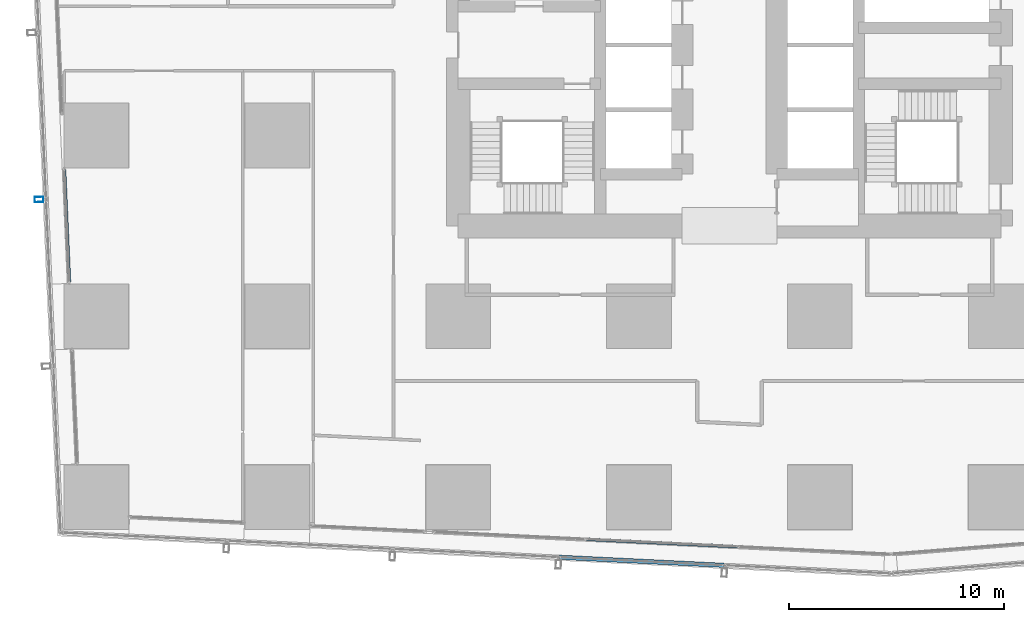
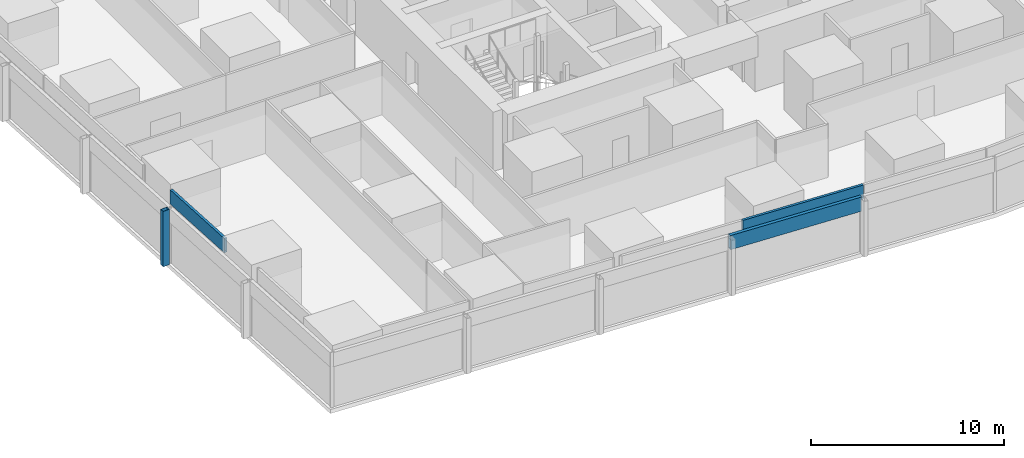
# One storey, part 6 of 45: 4 members, 4 elements without a shape of their own.
"""IFC4 building model written with IfcOpenShell, lengths in metres."""

from ifc_helpers import new_model, si_unit, direction, frame, origin, origin_2d, place, context, subcontext, project, spatial, hollow_rectangle, extrude, material, material_profile, profile_set, type_object, element, aggregate, save


model = new_model("IFC4")

# Units and contexts
model_context = context("Model", 3, precision=1e-05, world=origin(), true_north=direction((0.0, 1.0)))
body_context = subcontext(model_context, "Body", "Model", "MODEL_VIEW")
ifc_project = project(units=[si_unit("LENGTHUNIT", "METRE"), si_unit("AREAUNIT", "SQUARE_METRE"), si_unit("VOLUMEUNIT", "CUBIC_METRE"), si_unit("PLANEANGLEUNIT", "RADIAN"), si_unit("MASSUNIT", "GRAM", prefix="KILO")], contexts=[model_context])

# Site, building, storey
site_placement = place(None, origin())
site = spatial("IfcSite", under=ifc_project, at=site_placement, CompositionType="ELEMENT")
building_placement = place(site_placement, origin())
building = spatial("IfcBuilding", under=site, at=building_placement, Name="Rekha Terrace Tower", CompositionType="ELEMENT")
storey_placement = place(building_placement, frame((0.0, 0.0, 77.89990234375)))
storey = spatial("IfcBuildingStorey", under=building, at=storey_placement, Name="L19", CompositionType="ELEMENT", Elevation=77.89990234375)

# Curtain wall, member
ifc_material_1 = material(Name="Aluminium framing", Category="aluminium")
curtain_wall_type_1 = type_object("IfcCurtainWallType", Name="CW2 double skin outer glazing", PredefinedType="USERDEFINED", material=ifc_material_1)
curtain_wall_1_placement = place(storey_placement, origin())
curtain_wall_1 = element("IfcCurtainWall", 1, at=curtain_wall_1_placement, inside=storey, type_object=curtain_wall_type_1, Name="CW2 double skin outer glazing", ObjectType="DOUBLE SKIN OUTER GLAZING", PredefinedType="USERDEFINED")
ifc_material_2 = material(Name="Steel S355 with fluorocarbon finish", Category="steel")
ifc_material_profile_1 = material_profile(ifc_material_2, hollow_rectangle(XDim=0.25, YDim=0.39990234375, WallThickness=0.012451171875, at=origin_2d()), Name="RHS400x250x12.5")
ifc_profile_set_1 = profile_set([ifc_material_profile_1], Name="Steel S355 with fluorocarbon finish")
member_type_1 = type_object("IfcMemberType", Name="BL1 facade blade RHS 400 x 250", PredefinedType="USERDEFINED", material=ifc_profile_set_1)
member_1_placement = place(storey_placement, frame((5.74169921875, 22.226806640625, 0.0), z_axis=(0.0, 0.0, 1.0), x_axis=(0.04368215933, -0.999045478923, 0.0)))
member_1 = element("IfcMember", 2, at=member_1_placement, type_object=member_type_1, Name="Facade blade", ObjectType="FACADE BLADE", PredefinedType="USERDEFINED", context=body_context, shape_type="SweptSolid", body=[
    extrude(hollow_rectangle(XDim=0.25, YDim=0.39990234375, WallThickness=0.012451171875, at=origin_2d()), origin(), (0.0, 0.0, 1.0), 3.5),
])
aggregate(curtain_wall_1, [member_1])

curtain_wall_type_2 = type_object("IfcCurtainWallType", Name="CW1 double skin inner glazing", PredefinedType="USERDEFINED", material=ifc_material_1)
curtain_wall_2_placement = place(storey_placement, origin())
curtain_wall_2 = element("IfcCurtainWall", 3, at=curtain_wall_2_placement, inside=storey, type_object=curtain_wall_type_2, Name="CW1 double skin inner glazing", ObjectType="DOUBLE SKIN INNER GLAZING", PredefinedType="USERDEFINED")
ifc_material_3 = material(Name="Insulated aluminium spandrel box", Category="aluminium")
ifc_material_profile_2 = material_profile(ifc_material_3, hollow_rectangle(XDim=0.14990234375, YDim=0.89990234375, WallThickness=0.0029296875, at=origin_2d()), Name="AL SPANDREL BOX 150x900")
ifc_profile_set_2 = profile_set([ifc_material_profile_2], Name="Insulated aluminium spandrel box")
member_type_2 = type_object("IfcMemberType", Name="CW1 spandrel transom 150 x 900", PredefinedType="USERDEFINED", material=ifc_profile_set_2)
member_2_placement = place(storey_placement, frame((31.158447265625, 6.455078125, 3.050048828125), z_axis=(0.998797394542, -0.049028202652, 0.0), x_axis=(0.049028202652, 0.998797394542, 0.0)))
member_2 = element("IfcMember", 4, at=member_2_placement, type_object=member_type_2, Name="CW1 spandrel transom 2", ObjectType="TRANSOM", PredefinedType="USERDEFINED", context=body_context, shape_type="SweptSolid", body=[
    extrude(hollow_rectangle(XDim=0.14990234375, YDim=0.89990234375, WallThickness=0.0029296875, at=origin_2d()), origin(), (0.0, 0.0, 1.0), 7.016357421875),
])
aggregate(curtain_wall_2, [member_2])

curtain_wall_3_placement = place(storey_placement, origin())
curtain_wall_3 = element("IfcCurtainWall", 5, at=curtain_wall_3_placement, inside=storey, type_object=curtain_wall_type_2, Name="CW1 double skin inner glazing", ObjectType="DOUBLE SKIN INNER GLAZING", PredefinedType="USERDEFINED")
member_3_placement = place(storey_placement, frame((6.917236328125, 23.61083984375, 3.050048828125), z_axis=(0.043674389397, -0.999045818624, 0.0), x_axis=(0.999045818624, 0.043674389397, 0.0)))
member_3 = element("IfcMember", 6, at=member_3_placement, type_object=member_type_2, Name="CW1 spandrel transom 1", ObjectType="TRANSOM", PredefinedType="USERDEFINED", context=body_context, shape_type="SweptSolid", body=[
    extrude(hollow_rectangle(XDim=0.14990234375, YDim=0.89990234375, WallThickness=0.0029296875, at=origin_2d()), origin(), (0.0, 0.0, 1.0), 5.2265625),
])
aggregate(curtain_wall_3, [member_3])

curtain_wall_4_placement = place(storey_placement, origin())
curtain_wall_4 = element("IfcCurtainWall", 7, at=curtain_wall_4_placement, inside=storey, type_object=curtain_wall_type_1, Name="CW2 double skin outer glazing", ObjectType="DOUBLE SKIN OUTER GLAZING", PredefinedType="USERDEFINED")
ifc_material_profile_3 = material_profile(ifc_material_3, hollow_rectangle(XDim=0.199951171875, YDim=0.89990234375, WallThickness=0.0029296875, at=origin_2d()), Name="AL SPANDREL BOX 200x900")
ifc_profile_set_3 = profile_set([ifc_material_profile_3], Name="Insulated aluminium spandrel box")
member_type_3 = type_object("IfcMemberType", Name="CW2 spandrel transom 200 x 900", PredefinedType="USERDEFINED", material=ifc_profile_set_3)
member_4_placement = place(storey_placement, frame((29.91259765625, 5.615234375, 3.050048828125), z_axis=(0.998796434643, -0.049047753721, 0.0), x_axis=(0.049047753721, 0.998796434643, 0.0)))
member_4 = element("IfcMember", 8, at=member_4_placement, type_object=member_type_3, Name="CW2 spandrel transom 4", ObjectType="TRANSOM", PredefinedType="USERDEFINED", context=body_context, shape_type="SweptSolid", body=[
    extrude(hollow_rectangle(XDim=0.199951171875, YDim=0.89990234375, WallThickness=0.0029296875, at=origin_2d()), origin(), (0.0, 0.0, 1.0), 7.6357421875),
])
aggregate(curtain_wall_4, [member_4])

save(model, "model.ifc")
